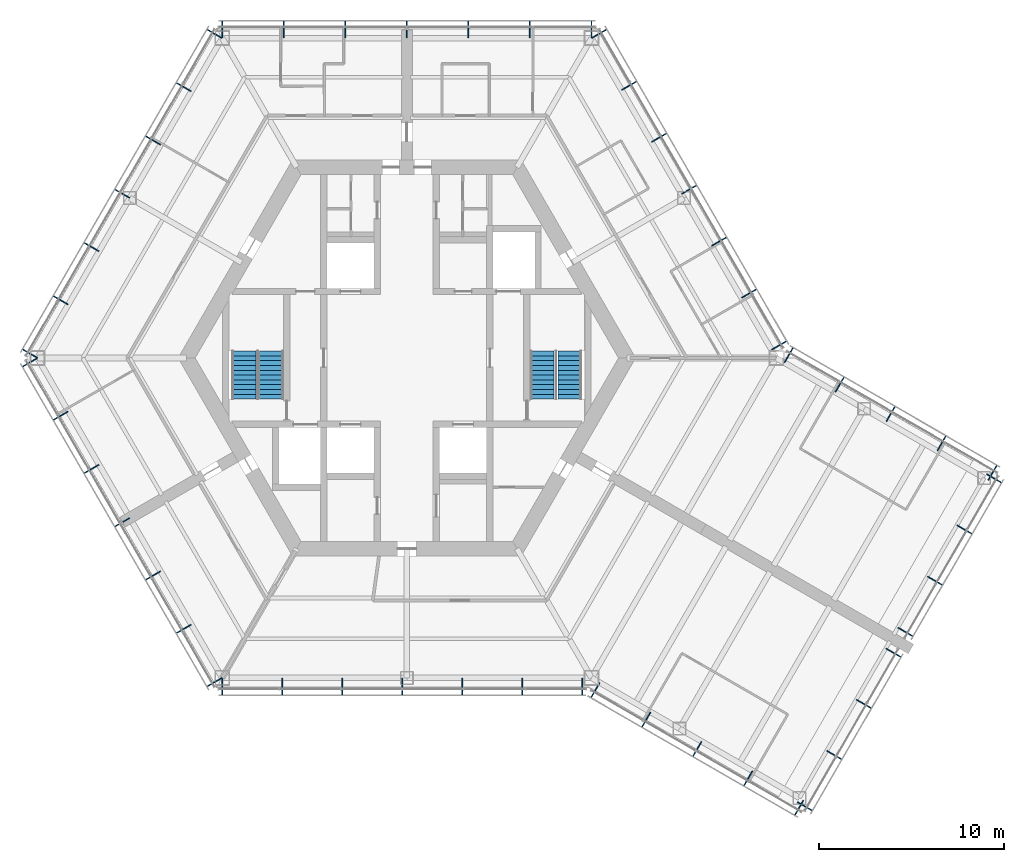
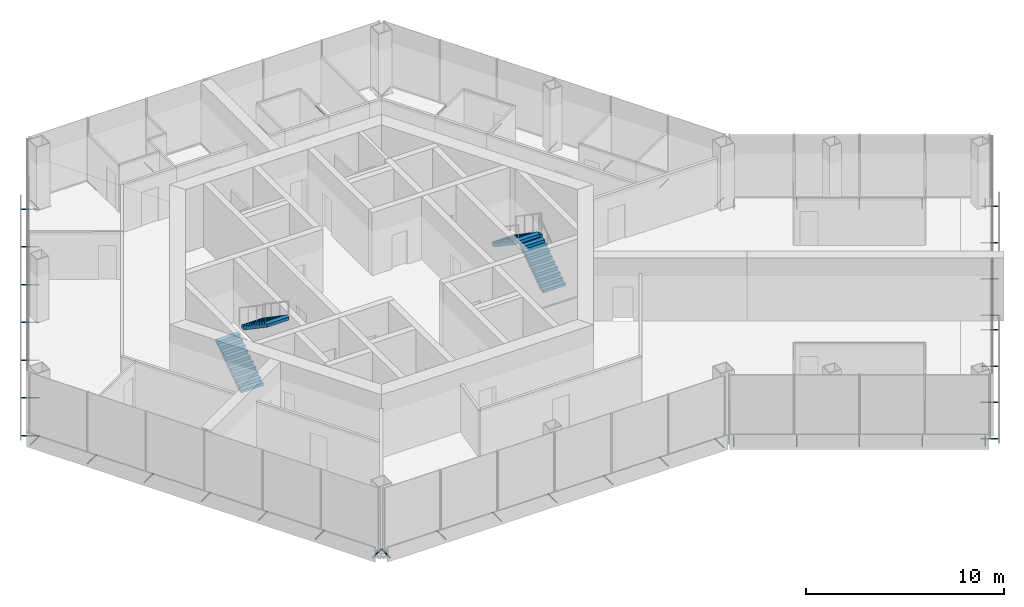
# One storey, part 13 of 14: 53 discrete accessories, 4 stair flights, 2 elements without a shape of their own.
"""IFC4 building model written with IfcOpenShell, lengths in metres."""

from ifc_helpers import new_model, si_unit, direction, frame, origin, origin_2d, place, context, subcontext, project, spatial, polyline, hollow_circle, outline, extrude, material, material_profile, profile_set, type_object, element, aggregate, save


model = new_model("IFC4")

# Units and contexts
model_context = context("Model", 3, precision=1e-05, world=origin(), true_north=direction((0.0, 1.0)))
body_context = subcontext(model_context, "Body", "Model", "MODEL_VIEW")
ifc_project = project(units=[si_unit("LENGTHUNIT", "METRE"), si_unit("AREAUNIT", "SQUARE_METRE"), si_unit("VOLUMEUNIT", "CUBIC_METRE"), si_unit("PLANEANGLEUNIT", "RADIAN"), si_unit("MASSUNIT", "GRAM", prefix="KILO")], contexts=[model_context])

# Site, building, storey
site_placement = place(None, origin())
site = spatial("IfcSite", under=ifc_project, at=site_placement, CompositionType="ELEMENT")
building_placement = place(site_placement, origin())
building = spatial("IfcBuilding", under=site, at=building_placement, Name="Kasaneha Research Tower", CompositionType="ELEMENT")
storey_placement = place(building_placement, frame((0.0, 0.0, 216.699951171875)))
storey = spatial("IfcBuildingStorey", under=building, at=storey_placement, Name="L54", CompositionType="ELEMENT", Elevation=216.699951171875)

# Stair, stair flights
ifc_material_1 = material(Name="Concrete Fc24", Category="concrete")
stair_type = type_object("IfcStairType", Name="Half-turn stair 22 risers", PredefinedType="HALF_TURN_STAIR", material=ifc_material_1)
stair_1_placement = place(storey_placement, origin())
stair_1 = element("IfcStair", 1, at=stair_1_placement, inside=storey, type_object=stair_type, Name="Stair 1 L54", PredefinedType="HALF_TURN_STAIR")
ifc_material_2 = material(Name="Concrete Fc24", Category="concrete")
stair_flight_type = type_object("IfcStairFlightType", Name="Stair flight 11 risers 177.3", PredefinedType="STRAIGHT", material=ifc_material_2)
stair_flight_1_placement = place(storey_placement, frame((8.824951171875, -2.22509765625, 0.0), z_axis=(0.0, 0.0, 1.0), x_axis=(0.0, 1.0, 0.0)))
stair_flight_1 = element("IfcStairFlight", 2, at=stair_flight_1_placement, type_object=stair_flight_type, Name="ST1-22R flight 1", NumberOfRisers=11, NumberOfTreads=10, PredefinedType="STRAIGHT", RiserHeight=0.177272727, TreadLength=0.26, context=body_context, shape_type="SweptSolid", body=[
    extrude(outline(polyline([(0.0, 0.0), (0.0, 0.17724609375), (0.260009765625, 0.17724609375), (0.260009765625, 0.3544921875), (0.52001953125, 0.3544921875), (0.52001953125, 0.53173828125), (0.780029296875, 0.53173828125), (0.780029296875, 0.708984375), (1.0400390625, 0.708984375), (1.0400390625, 0.886474609375), (1.300048828125, 0.886474609375), (1.300048828125, 1.063720703125), (1.56005859375, 1.063720703125), (1.56005859375, 1.240966796875), (1.820068359375, 1.240966796875), (1.820068359375, 1.418212890625), (2.080078125, 1.418212890625), (2.080078125, 1.595458984375), (2.340087890625, 1.595458984375), (2.340087890625, 1.772705078125), (2.60009765625, 1.772705078125), (2.60009765625, 1.949951171875), (2.60009765625, 1.59130859375), (0.26611328125, 0.0), (0.0, 0.0)])), frame((0.0, 0.64990234375, 0.0), z_axis=(0.0, -1.0, 0.0), x_axis=(1.0, 0.0, 0.0)), (0.0, 0.0, 1.0), 1.300048828125),
])
stair_flight_2_placement = place(storey_placement, frame((7.324951171875, 0.375, 1.949951171875), z_axis=(0.0, 0.0, 1.0), x_axis=(0.0, -1.0, 0.0)))
stair_flight_2 = element("IfcStairFlight", 3, at=stair_flight_2_placement, type_object=stair_flight_type, Name="ST1-22R flight 2", NumberOfRisers=11, NumberOfTreads=10, PredefinedType="STRAIGHT", RiserHeight=0.177272727, TreadLength=0.26, context=body_context, shape_type="SweptSolid", body=[
    extrude(outline(polyline([(0.0, 0.0), (0.0, 0.17724609375), (0.260009765625, 0.17724609375), (0.260009765625, 0.3544921875), (0.52001953125, 0.3544921875), (0.52001953125, 0.53173828125), (0.780029296875, 0.53173828125), (0.780029296875, 0.708984375), (1.0400390625, 0.708984375), (1.0400390625, 0.886474609375), (1.300048828125, 0.886474609375), (1.300048828125, 1.063720703125), (1.56005859375, 1.063720703125), (1.56005859375, 1.240966796875), (1.820068359375, 1.240966796875), (1.820068359375, 1.418212890625), (2.080078125, 1.418212890625), (2.080078125, 1.595458984375), (2.340087890625, 1.595458984375), (2.340087890625, 1.772705078125), (2.60009765625, 1.772705078125), (2.60009765625, 1.949951171875), (2.60009765625, 1.59130859375), (0.26611328125, 0.0), (0.0, 0.0)])), frame((0.0, 0.64990234375, 0.0), z_axis=(0.0, -1.0, 0.0), x_axis=(1.0, 0.0, 0.0)), (0.0, 0.0, 1.0), 1.300048828125),
])
aggregate(stair_1, [stair_flight_1, stair_flight_2])

stair_2_placement = place(storey_placement, origin())
stair_2 = element("IfcStair", 4, at=stair_2_placement, inside=storey, type_object=stair_type, Name="Stair 2 L54", PredefinedType="HALF_TURN_STAIR")
stair_flight_3_placement = place(storey_placement, frame((-8.824951171875, -2.22509765625, 0.0), z_axis=(0.0, 0.0, 1.0), x_axis=(0.0, 1.0, 0.0)))
stair_flight_3 = element("IfcStairFlight", 5, at=stair_flight_3_placement, type_object=stair_flight_type, Name="ST2-22R flight 1", NumberOfRisers=11, NumberOfTreads=10, PredefinedType="STRAIGHT", RiserHeight=0.177272727, TreadLength=0.26, context=body_context, shape_type="SweptSolid", body=[
    extrude(outline(polyline([(0.0, 0.0), (0.0, 0.17724609375), (0.260009765625, 0.17724609375), (0.260009765625, 0.3544921875), (0.52001953125, 0.3544921875), (0.52001953125, 0.53173828125), (0.780029296875, 0.53173828125), (0.780029296875, 0.708984375), (1.0400390625, 0.708984375), (1.0400390625, 0.886474609375), (1.300048828125, 0.886474609375), (1.300048828125, 1.063720703125), (1.56005859375, 1.063720703125), (1.56005859375, 1.240966796875), (1.820068359375, 1.240966796875), (1.820068359375, 1.418212890625), (2.080078125, 1.418212890625), (2.080078125, 1.595458984375), (2.340087890625, 1.595458984375), (2.340087890625, 1.772705078125), (2.60009765625, 1.772705078125), (2.60009765625, 1.949951171875), (2.60009765625, 1.59130859375), (0.26611328125, 0.0), (0.0, 0.0)])), frame((0.0, 0.64990234375, 0.0), z_axis=(0.0, -1.0, 0.0), x_axis=(1.0, 0.0, 0.0)), (0.0, 0.0, 1.0), 1.300048828125),
])
stair_flight_4_placement = place(storey_placement, frame((-7.324951171875, 0.375, 1.949951171875), z_axis=(0.0, 0.0, 1.0), x_axis=(0.0, -1.0, 0.0)))
stair_flight_4 = element("IfcStairFlight", 6, at=stair_flight_4_placement, type_object=stair_flight_type, Name="ST2-22R flight 2", NumberOfRisers=11, NumberOfTreads=10, PredefinedType="STRAIGHT", RiserHeight=0.177272727, TreadLength=0.26, context=body_context, shape_type="SweptSolid", body=[
    extrude(outline(polyline([(0.0, 0.0), (0.0, 0.17724609375), (0.260009765625, 0.17724609375), (0.260009765625, 0.3544921875), (0.52001953125, 0.3544921875), (0.52001953125, 0.53173828125), (0.780029296875, 0.53173828125), (0.780029296875, 0.708984375), (1.0400390625, 0.708984375), (1.0400390625, 0.886474609375), (1.300048828125, 0.886474609375), (1.300048828125, 1.063720703125), (1.56005859375, 1.063720703125), (1.56005859375, 1.240966796875), (1.820068359375, 1.240966796875), (1.820068359375, 1.418212890625), (2.080078125, 1.418212890625), (2.080078125, 1.595458984375), (2.340087890625, 1.595458984375), (2.340087890625, 1.772705078125), (2.60009765625, 1.772705078125), (2.60009765625, 1.949951171875), (2.60009765625, 1.59130859375), (0.26611328125, 0.0), (0.0, 0.0)])), frame((0.0, 0.64990234375, 0.0), z_axis=(0.0, -1.0, 0.0), x_axis=(1.0, 0.0, 0.0)), (0.0, 0.0, 1.0), 1.300048828125),
])
aggregate(stair_2, [stair_flight_3, stair_flight_4])

# Discrete accessories
ifc_material_3 = material(Name="Steel STK400", Category="steel")
ifc_material_profile = material_profile(ifc_material_3, hollow_circle(Radius=0.0380859375, WallThickness=0.00390625, at=origin_2d()), Name="CHS-76.3x4.0")
ifc_profile_set = profile_set([ifc_material_profile], Name="Steel STK400")
discrete_accessory_type = type_object("IfcDiscreteAccessoryType", Name="Screen bracket CHS-76.3x4.0", PredefinedType="BRACKET", material=ifc_profile_set)
for number, where, z_axis, x_axis, name in (
    (7, (19.74462890625, 0.4423828125, -0.300048828125), (0.866013213425, 0.500021113727, 0.0), (-0.500021113727, 0.866013213425, 0.0), "Screen bracket 1"),
    (8, (18.120849609375, 3.2548828125, -0.300048828125), (0.866013213425, 0.500021113727, 0.0), (-0.500021113727, 0.866013213425, 0.0), "Screen bracket 2"),
    (9, (16.4970703125, 6.0673828125, -0.300048828125), (0.866013213425, 0.500021113727, 0.0), (-0.500021113727, 0.866013213425, 0.0), "Screen bracket 3"),
    (10, (14.873291015625, 8.8798828125, -0.300048828125), (0.866013213425, 0.500021113727, 0.0), (-0.500021113727, 0.866013213425, 0.0), "Screen bracket 4"),
    (11, (13.24951171875, 11.6923828125, -0.300048828125), (0.866013213425, 0.500021113727, 0.0), (-0.500021113727, 0.866013213425, 0.0), "Screen bracket 5"),
):
    element("IfcDiscreteAccessory", number, at=place(storey_placement, frame(where, z_axis=z_axis, x_axis=x_axis)), inside=storey, type_object=discrete_accessory_type, Name=name, PredefinedType="BRACKET", context=body_context, shape_type="SweptSolid", body=[
        extrude(hollow_circle(Radius=0.0380859375, WallThickness=0.00390625, at=origin_2d()), origin(), (0.0, 0.0, 1.0), 0.919921875),
    ])
for number, where, z_axis, x_axis, name in (
    (12, (11.62548828125, 14.5048828125, -0.300048828125), (0.866079547155, 0.499906209203, 0.0), (-0.499906209203, 0.866079547155, 0.0), "Screen bracket 6"),
    (13, (10.001708984375, 17.3173828125, -0.300048828125), (0.866079547155, 0.499906209203, 0.0), (-0.499906209203, 0.866079547155, 0.0), "Screen bracket 7"),
):
    element("IfcDiscreteAccessory", number, at=place(storey_placement, frame(where, z_axis=z_axis, x_axis=x_axis)), inside=storey, type_object=discrete_accessory_type, Name=name, PredefinedType="BRACKET", context=body_context, shape_type="SweptSolid", body=[
        extrude(hollow_circle(Radius=0.0380859375, WallThickness=0.00390625, at=origin_2d()), origin(), (0.0, 0.0, 1.0), 0.920166015625),
    ])
for number, where, z_axis, x_axis, name in (
    (14, (9.996337890625, 17.320556640625, -0.300048828125), (0.0, 1.0, 0.0), (-1.0, 0.0, 0.0), "Screen bracket 1"),
    (15, (6.664306640625, 17.320556640625, -0.300048828125), (0.0, 1.0, 0.0), (-1.0, 0.0, 0.0), "Screen bracket 2"),
    (16, (3.33203125, 17.320556640625, -0.300048828125), (0.0, 1.0, 0.0), (-1.0, 0.0, 0.0), "Screen bracket 3"),
    (17, (0.0, 17.320556640625, -0.300048828125), (0.0, 1.0, 0.0), (-1.0, 0.0, 0.0), "Screen bracket 4"),
    (18, (-3.33203125, 17.320556640625, -0.300048828125), (0.0, 1.0, 0.0), (-1.0, 0.0, 0.0), "Screen bracket 5"),
    (19, (-6.664306640625, 17.320556640625, -0.300048828125), (0.0, 1.0, 0.0), (-1.0, 0.0, 0.0), "Screen bracket 6"),
    (20, (-9.996337890625, 17.320556640625, -0.300048828125), (0.0, 1.0, 0.0), (-1.0, 0.0, 0.0), "Screen bracket 7"),
):
    element("IfcDiscreteAccessory", number, at=place(storey_placement, frame(where, z_axis=z_axis, x_axis=x_axis)), inside=storey, type_object=discrete_accessory_type, Name=name, PredefinedType="BRACKET", context=body_context, shape_type="SweptSolid", body=[
        extrude(hollow_circle(Radius=0.0380859375, WallThickness=0.00390625, at=origin_2d()), origin(), (0.0, 0.0, 1.0), 0.919921875),
    ])
discrete_accessory_1_placement = place(storey_placement, frame((-10.001708984375, 17.3173828125, -0.300048828125), z_axis=(-0.866079547155, 0.499906209203, 0.0), x_axis=(-0.499906209203, -0.866079547155, 0.0)))
element("IfcDiscreteAccessory", 21, at=discrete_accessory_1_placement, inside=storey, type_object=discrete_accessory_type, Name="Screen bracket 1", PredefinedType="BRACKET", context=body_context, shape_type="SweptSolid", body=[
    extrude(hollow_circle(Radius=0.0380859375, WallThickness=0.00390625, at=origin_2d()), origin(), (0.0, 0.0, 1.0), 0.920166015625),
])
for number, where, z_axis, x_axis, name in (
    (22, (-11.66796875, 14.431640625, -0.300048828125), (-0.866013213425, 0.500021113727, 0.0), (-0.500021113727, -0.866013213425, 0.0), "Screen bracket 2"),
    (23, (-13.333984375, 11.5458984375, -0.300048828125), (-0.866013213425, 0.500021113727, 0.0), (-0.500021113727, -0.866013213425, 0.0), "Screen bracket 3"),
    (24, (-15.0, 8.66015625, -0.300048828125), (-0.865898279276, 0.500220121494, 0.0), (-0.500220121494, -0.865898279276, 0.0), "Screen bracket 4"),
):
    element("IfcDiscreteAccessory", number, at=place(storey_placement, frame(where, z_axis=z_axis, x_axis=x_axis)), inside=storey, type_object=discrete_accessory_type, Name=name, PredefinedType="BRACKET", context=body_context, shape_type="SweptSolid", body=[
        extrude(hollow_circle(Radius=0.0380859375, WallThickness=0.00390625, at=origin_2d()), origin(), (0.0, 0.0, 1.0), 0.919921875),
    ])
for number, where, z_axis, x_axis, name in (
    (25, (-16.666015625, 5.774658203125, -0.300048828125), (-0.866079547155, 0.499906209203, 0.0), (-0.499906209203, -0.866079547155, 0.0), "Screen bracket 5"),
    (26, (-18.33203125, 2.888916015625, -0.300048828125), (-0.866079547155, 0.499906209203, 0.0), (-0.499906209203, -0.866079547155, 0.0), "Screen bracket 6"),
):
    element("IfcDiscreteAccessory", number, at=place(storey_placement, frame(where, z_axis=z_axis, x_axis=x_axis)), inside=storey, type_object=discrete_accessory_type, Name=name, PredefinedType="BRACKET", context=body_context, shape_type="SweptSolid", body=[
        extrude(hollow_circle(Radius=0.0380859375, WallThickness=0.00390625, at=origin_2d()), origin(), (0.0, 0.0, 1.0), 0.920166015625),
    ])
for number, where, z_axis, x_axis, name in (
    (27, (-19.998291015625, 0.003173828125, -0.300048828125), (-0.866013213425, 0.500021113727, 0.0), (-0.500021113727, -0.866013213425, 0.0), "Screen bracket 7"),
    (28, (-19.998291015625, -0.003173828125, -0.300048828125), (-0.866013213425, -0.500021113727, 0.0), (0.500021113727, -0.866013213425, 0.0), "Screen bracket 1"),
):
    element("IfcDiscreteAccessory", number, at=place(storey_placement, frame(where, z_axis=z_axis, x_axis=x_axis)), inside=storey, type_object=discrete_accessory_type, Name=name, PredefinedType="BRACKET", context=body_context, shape_type="SweptSolid", body=[
        extrude(hollow_circle(Radius=0.0380859375, WallThickness=0.00390625, at=origin_2d()), origin(), (0.0, 0.0, 1.0), 0.919921875),
    ])
for number, where, z_axis, x_axis, name in (
    (29, (-18.33203125, -2.888916015625, -0.300048828125), (-0.866079547155, -0.499906209203, 0.0), (0.499906209203, -0.866079547155, 0.0), "Screen bracket 2"),
    (30, (-16.666015625, -5.774658203125, -0.300048828125), (-0.866079547155, -0.499906209203, 0.0), (0.499906209203, -0.866079547155, 0.0), "Screen bracket 3"),
):
    element("IfcDiscreteAccessory", number, at=place(storey_placement, frame(where, z_axis=z_axis, x_axis=x_axis)), inside=storey, type_object=discrete_accessory_type, Name=name, PredefinedType="BRACKET", context=body_context, shape_type="SweptSolid", body=[
        extrude(hollow_circle(Radius=0.0380859375, WallThickness=0.00390625, at=origin_2d()), origin(), (0.0, 0.0, 1.0), 0.920166015625),
    ])
for number, where, z_axis, x_axis, name in (
    (31, (-15.0, -8.66015625, -0.300048828125), (-0.865898279276, -0.500220121494, 0.0), (0.500220121494, -0.865898279276, 0.0), "Screen bracket 4"),
    (32, (-13.333984375, -11.5458984375, -0.300048828125), (-0.866013213425, -0.500021113727, 0.0), (0.500021113727, -0.866013213425, 0.0), "Screen bracket 5"),
    (33, (-11.66796875, -14.431640625, -0.300048828125), (-0.866013213425, -0.500021113727, 0.0), (0.500021113727, -0.866013213425, 0.0), "Screen bracket 6"),
):
    element("IfcDiscreteAccessory", number, at=place(storey_placement, frame(where, z_axis=z_axis, x_axis=x_axis)), inside=storey, type_object=discrete_accessory_type, Name=name, PredefinedType="BRACKET", context=body_context, shape_type="SweptSolid", body=[
        extrude(hollow_circle(Radius=0.0380859375, WallThickness=0.00390625, at=origin_2d()), origin(), (0.0, 0.0, 1.0), 0.919921875),
    ])
discrete_accessory_2_placement = place(storey_placement, frame((-10.001708984375, -17.3173828125, -0.300048828125), z_axis=(-0.866079547155, -0.499906209203, 0.0), x_axis=(0.499906209203, -0.866079547155, 0.0)))
element("IfcDiscreteAccessory", 34, at=discrete_accessory_2_placement, inside=storey, type_object=discrete_accessory_type, Name="Screen bracket 7", PredefinedType="BRACKET", context=body_context, shape_type="SweptSolid", body=[
    extrude(hollow_circle(Radius=0.0380859375, WallThickness=0.00390625, at=origin_2d()), origin(), (0.0, 0.0, 1.0), 0.920166015625),
])
for number, where, z_axis, x_axis, name in (
    (35, (-9.996337890625, -17.320556640625, -0.300048828125), (0.0, -1.0, 0.0), (1.0, 0.0, 0.0), "Screen bracket 1"),
    (36, (-6.748779296875, -17.320556640625, -0.300048828125), (0.0, -1.0, 0.0), (1.0, 0.0, 0.0), "Screen bracket 2"),
    (37, (-3.501220703125, -17.320556640625, -0.300048828125), (0.0, -1.0, 0.0), (1.0, 0.0, 0.0), "Screen bracket 3"),
    (38, (-0.253662109375, -17.320556640625, -0.300048828125), (0.0, -1.0, 0.0), (1.0, 0.0, 0.0), "Screen bracket 4"),
    (39, (2.993896484375, -17.320556640625, -0.300048828125), (0.0, -1.0, 0.0), (1.0, 0.0, 0.0), "Screen bracket 5"),
    (40, (6.24169921875, -17.320556640625, -0.300048828125), (0.0, -1.0, 0.0), (1.0, 0.0, 0.0), "Screen bracket 6"),
    (41, (9.4892578125, -17.320556640625, -0.300048828125), (0.0, -1.0, 0.0), (1.0, 0.0, 0.0), "Screen bracket 7"),
    (42, (10.4423828125, -17.575927734375, -0.300048828125), (-0.500021113727, -0.866013213425, 0.0), (0.866013213425, -0.500021113727, 0.0), "Screen bracket 1"),
):
    element("IfcDiscreteAccessory", number, at=place(storey_placement, frame(where, z_axis=z_axis, x_axis=x_axis)), inside=storey, type_object=discrete_accessory_type, Name=name, PredefinedType="BRACKET", context=body_context, shape_type="SweptSolid", body=[
        extrude(hollow_circle(Radius=0.0380859375, WallThickness=0.00390625, at=origin_2d()), origin(), (0.0, 0.0, 1.0), 0.919921875),
    ])
discrete_accessory_3_placement = place(storey_placement, frame((13.200439453125, -19.168212890625, -0.300048828125), z_axis=(-0.499906209203, -0.866079547155, 0.0), x_axis=(0.866079547155, -0.499906209203, 0.0)))
element("IfcDiscreteAccessory", 43, at=discrete_accessory_3_placement, inside=storey, type_object=discrete_accessory_type, Name="Screen bracket 2", PredefinedType="BRACKET", context=body_context, shape_type="SweptSolid", body=[
    extrude(hollow_circle(Radius=0.0380859375, WallThickness=0.00390625, at=origin_2d()), origin(), (0.0, 0.0, 1.0), 0.920166015625),
])
discrete_accessory_4_placement = place(storey_placement, frame((15.95849609375, -20.7607421875, -0.300048828125), z_axis=(-0.500021113727, -0.866013213425, 0.0), x_axis=(0.866013213425, -0.500021113727, 0.0)))
element("IfcDiscreteAccessory", 44, at=discrete_accessory_4_placement, inside=storey, type_object=discrete_accessory_type, Name="Screen bracket 3", PredefinedType="BRACKET", context=body_context, shape_type="SweptSolid", body=[
    extrude(hollow_circle(Radius=0.0380859375, WallThickness=0.00390625, at=origin_2d()), origin(), (0.0, 0.0, 1.0), 0.919921875),
])
discrete_accessory_5_placement = place(storey_placement, frame((18.716796875, -22.35302734375, -0.300048828125), z_axis=(-0.500105201737, -0.865964657013, 0.0), x_axis=(0.865964657013, -0.500105201737, 0.0)))
element("IfcDiscreteAccessory", 45, at=discrete_accessory_5_placement, inside=storey, type_object=discrete_accessory_type, Name="Screen bracket 4", PredefinedType="BRACKET", context=body_context, shape_type="SweptSolid", body=[
    extrude(hollow_circle(Radius=0.0380859375, WallThickness=0.00390625, at=origin_2d()), origin(), (0.0, 0.0, 1.0), 0.920166015625),
])
discrete_accessory_6_placement = place(storey_placement, frame((21.474853515625, -23.945556640625, -0.300048828125), z_axis=(-0.500021113727, -0.866013213425, 0.0), x_axis=(0.866013213425, -0.500021113727, 0.0)))
element("IfcDiscreteAccessory", 46, at=discrete_accessory_6_placement, inside=storey, type_object=discrete_accessory_type, Name="Screen bracket 5", PredefinedType="BRACKET", context=body_context, shape_type="SweptSolid", body=[
    extrude(hollow_circle(Radius=0.0380859375, WallThickness=0.00390625, at=origin_2d()), origin(), (0.0, 0.0, 1.0), 0.919921875),
])
discrete_accessory_7_placement = place(storey_placement, frame((21.13330078125, -24.037109375, -0.300048828125), z_axis=(0.866079547155, -0.499906209203, 0.0), x_axis=(0.499906209203, 0.866079547155, 0.0)))
element("IfcDiscreteAccessory", 47, at=discrete_accessory_7_placement, inside=storey, type_object=discrete_accessory_type, Name="Screen bracket 1", PredefinedType="BRACKET", context=body_context, shape_type="SweptSolid", body=[
    extrude(hollow_circle(Radius=0.0380859375, WallThickness=0.00390625, at=origin_2d()), origin(), (0.0, 0.0, 1.0), 0.920166015625),
])
discrete_accessory_8_placement = place(storey_placement, frame((22.7333984375, -21.265625, -0.300048828125), z_axis=(0.865898279276, -0.500220121494, 0.0), x_axis=(0.500220121494, 0.865898279276, 0.0)))
element("IfcDiscreteAccessory", 48, at=discrete_accessory_8_placement, inside=storey, type_object=discrete_accessory_type, Name="Screen bracket 2", PredefinedType="BRACKET", context=body_context, shape_type="SweptSolid", body=[
    extrude(hollow_circle(Radius=0.0380859375, WallThickness=0.00390625, at=origin_2d()), origin(), (0.0, 0.0, 1.0), 0.919921875),
])
discrete_accessory_9_placement = place(storey_placement, frame((24.333251953125, -18.494384765625, -0.300048828125), z_axis=(0.866079547155, -0.499906209203, 0.0), x_axis=(0.499906209203, 0.866079547155, 0.0)))
element("IfcDiscreteAccessory", 49, at=discrete_accessory_9_placement, inside=storey, type_object=discrete_accessory_type, Name="Screen bracket 3", PredefinedType="BRACKET", context=body_context, shape_type="SweptSolid", body=[
    extrude(hollow_circle(Radius=0.0380859375, WallThickness=0.00390625, at=origin_2d()), origin(), (0.0, 0.0, 1.0), 0.920166015625),
])
discrete_accessory_10_placement = place(storey_placement, frame((25.933349609375, -15.72314453125, -0.300048828125), z_axis=(0.866013213425, -0.500021113727, 0.0), x_axis=(0.500021113727, 0.866013213425, 0.0)))
element("IfcDiscreteAccessory", 50, at=discrete_accessory_10_placement, inside=storey, type_object=discrete_accessory_type, Name="Screen bracket 4", PredefinedType="BRACKET", context=body_context, shape_type="SweptSolid", body=[
    extrude(hollow_circle(Radius=0.0380859375, WallThickness=0.00390625, at=origin_2d()), origin(), (0.0, 0.0, 1.0), 0.919921875),
])
discrete_accessory_11_placement = place(storey_placement, frame((26.583251953125, -14.597412109375, -0.300048828125), z_axis=(0.866079547155, -0.499906209203, 0.0), x_axis=(0.499906209203, 0.866079547155, 0.0)))
element("IfcDiscreteAccessory", 51, at=discrete_accessory_11_placement, inside=storey, type_object=discrete_accessory_type, Name="Screen bracket 1", PredefinedType="BRACKET", context=body_context, shape_type="SweptSolid", body=[
    extrude(hollow_circle(Radius=0.0380859375, WallThickness=0.00390625, at=origin_2d()), origin(), (0.0, 0.0, 1.0), 0.920166015625),
])
for number, where, z_axis, x_axis, name in (
    (52, (28.183349609375, -11.826171875, -0.300048828125), (0.866013213425, -0.500021113727, 0.0), (0.500021113727, 0.866013213425, 0.0), "Screen bracket 2"),
    (53, (29.783447265625, -9.0546875, -0.300048828125), (0.865898279276, -0.500220121494, 0.0), (0.500220121494, 0.865898279276, 0.0), "Screen bracket 3"),
):
    element("IfcDiscreteAccessory", number, at=place(storey_placement, frame(where, z_axis=z_axis, x_axis=x_axis)), inside=storey, type_object=discrete_accessory_type, Name=name, PredefinedType="BRACKET", context=body_context, shape_type="SweptSolid", body=[
        extrude(hollow_circle(Radius=0.0380859375, WallThickness=0.00390625, at=origin_2d()), origin(), (0.0, 0.0, 1.0), 0.919921875),
    ])
discrete_accessory_12_placement = place(storey_placement, frame((31.38330078125, -6.283447265625, -0.300048828125), z_axis=(0.866079547155, -0.499906209203, 0.0), x_axis=(0.499906209203, 0.866079547155, 0.0)))
element("IfcDiscreteAccessory", 54, at=discrete_accessory_12_placement, inside=storey, type_object=discrete_accessory_type, Name="Screen bracket 4", PredefinedType="BRACKET", context=body_context, shape_type="SweptSolid", body=[
    extrude(hollow_circle(Radius=0.0380859375, WallThickness=0.00390625, at=origin_2d()), origin(), (0.0, 0.0, 1.0), 0.920166015625),
])
discrete_accessory_13_placement = place(storey_placement, frame((31.474853515625, -6.625, -0.300048828125), z_axis=(0.500021113727, 0.866013213425, 0.0), x_axis=(-0.866013213425, 0.500021113727, 0.0)))
element("IfcDiscreteAccessory", 55, at=discrete_accessory_13_placement, inside=storey, type_object=discrete_accessory_type, Name="Screen bracket 1", PredefinedType="BRACKET", context=body_context, shape_type="SweptSolid", body=[
    extrude(hollow_circle(Radius=0.0380859375, WallThickness=0.00390625, at=origin_2d()), origin(), (0.0, 0.0, 1.0), 0.919921875),
])
discrete_accessory_14_placement = place(storey_placement, frame((28.716796875, -5.03271484375, -0.300048828125), z_axis=(0.499906209203, 0.866079547155, 0.0), x_axis=(-0.866079547155, 0.499906209203, 0.0)))
element("IfcDiscreteAccessory", 56, at=discrete_accessory_14_placement, inside=storey, type_object=discrete_accessory_type, Name="Screen bracket 2", PredefinedType="BRACKET", context=body_context, shape_type="SweptSolid", body=[
    extrude(hollow_circle(Radius=0.0380859375, WallThickness=0.00390625, at=origin_2d()), origin(), (0.0, 0.0, 1.0), 0.920166015625),
])
discrete_accessory_15_placement = place(storey_placement, frame((25.95849609375, -3.440185546875, -0.300048828125), z_axis=(0.500220121494, 0.865898279276, 0.0), x_axis=(-0.865898279276, 0.500220121494, 0.0)))
element("IfcDiscreteAccessory", 57, at=discrete_accessory_15_placement, inside=storey, type_object=discrete_accessory_type, Name="Screen bracket 3", PredefinedType="BRACKET", context=body_context, shape_type="SweptSolid", body=[
    extrude(hollow_circle(Radius=0.0380859375, WallThickness=0.00390625, at=origin_2d()), origin(), (0.0, 0.0, 1.0), 0.919921875),
])
discrete_accessory_16_placement = place(storey_placement, frame((23.200439453125, -1.847900390625, -0.300048828125), z_axis=(0.499906209203, 0.866079547155, 0.0), x_axis=(-0.866079547155, 0.499906209203, 0.0)))
element("IfcDiscreteAccessory", 58, at=discrete_accessory_16_placement, inside=storey, type_object=discrete_accessory_type, Name="Screen bracket 4", PredefinedType="BRACKET", context=body_context, shape_type="SweptSolid", body=[
    extrude(hollow_circle(Radius=0.0380859375, WallThickness=0.00390625, at=origin_2d()), origin(), (0.0, 0.0, 1.0), 0.920166015625),
])
discrete_accessory_17_placement = place(storey_placement, frame((20.4423828125, -0.25537109375, -0.300048828125), z_axis=(0.500021113727, 0.866013213425, 0.0), x_axis=(-0.866013213425, 0.500021113727, 0.0)))
element("IfcDiscreteAccessory", 59, at=discrete_accessory_17_placement, inside=storey, type_object=discrete_accessory_type, Name="Screen bracket 5", PredefinedType="BRACKET", context=body_context, shape_type="SweptSolid", body=[
    extrude(hollow_circle(Radius=0.0380859375, WallThickness=0.00390625, at=origin_2d()), origin(), (0.0, 0.0, 1.0), 0.919921875),
])

save(model, "model.ifc")
